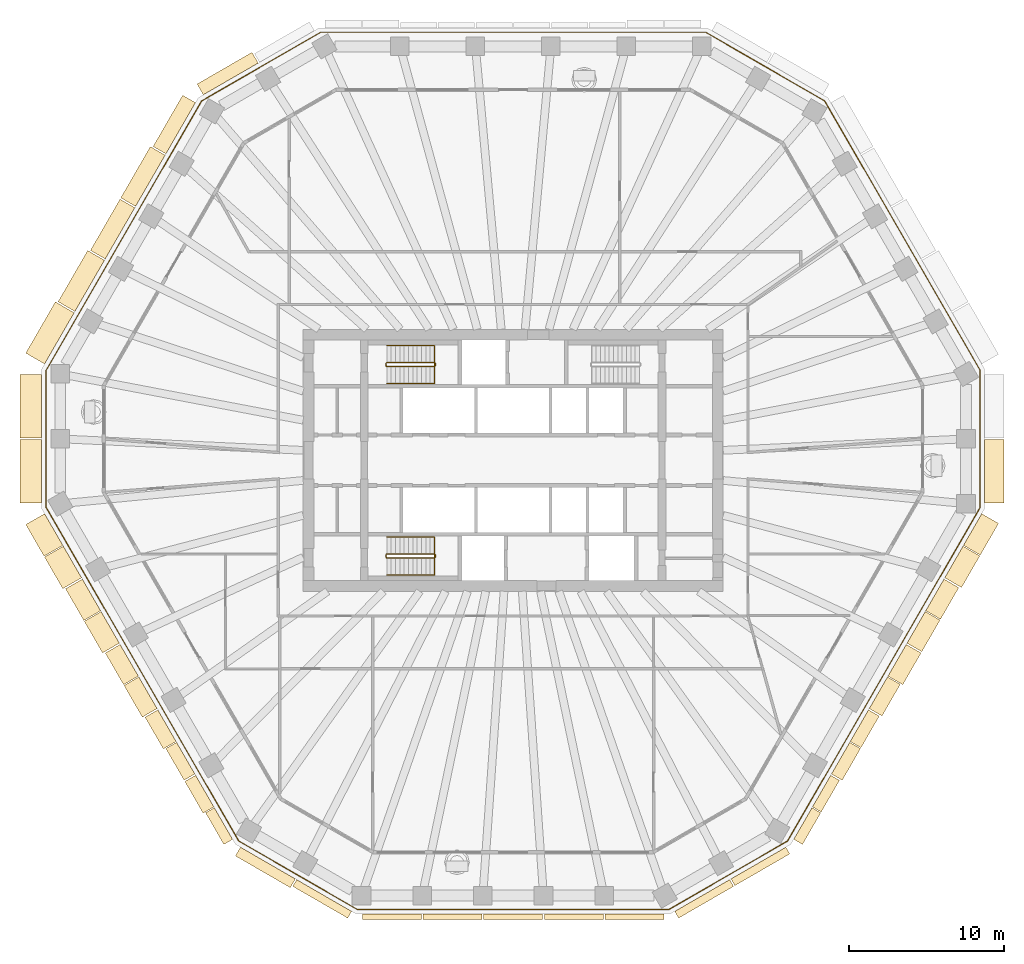
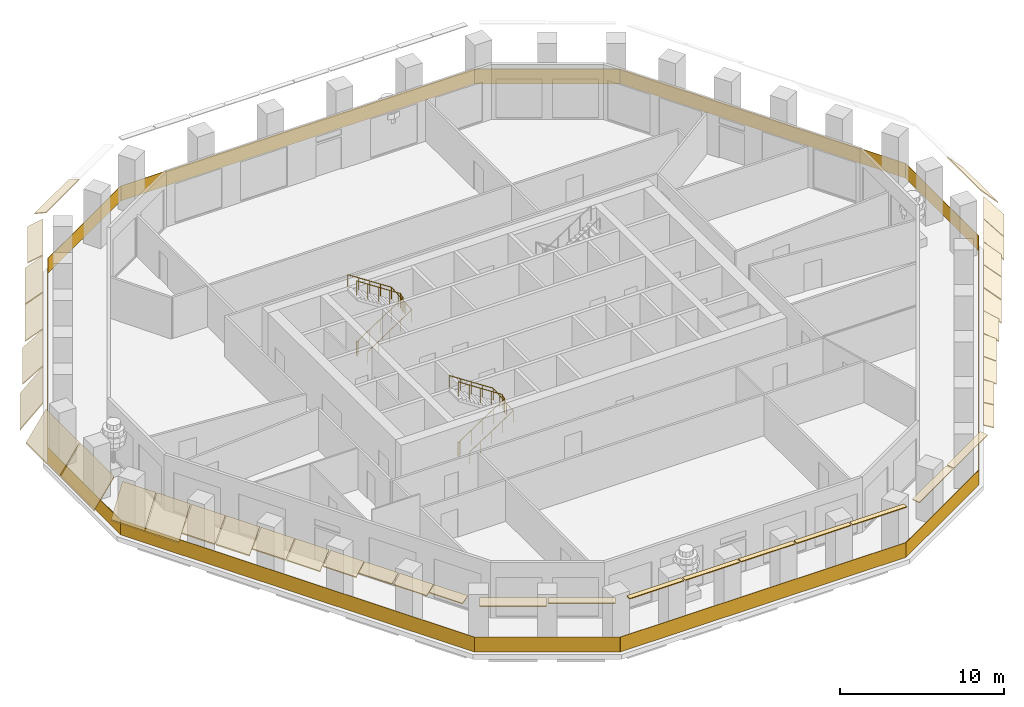
# One storey, part 9 of 12: 38 coverings, 5 railings.
"""IFC4 building model written with IfcOpenShell, lengths in metres."""

from ifc_helpers import new_model, si_unit, direction, frame, origin, origin_2d, place, context, subcontext, project, spatial, polyline, rectangle, circle, outline, extrude, material, layer, layer_set, type_object, element, save


model = new_model("IFC4")

# Units and contexts
model_context = context("Model", 3, precision=1e-05, world=origin(), true_north=direction((0.0, 1.0)))
body_context = subcontext(model_context, "Body", "Model", "MODEL_VIEW")
ifc_project = project(units=[si_unit("LENGTHUNIT", "METRE"), si_unit("AREAUNIT", "SQUARE_METRE"), si_unit("VOLUMEUNIT", "CUBIC_METRE"), si_unit("PLANEANGLEUNIT", "RADIAN"), si_unit("MASSUNIT", "GRAM", prefix="KILO")], contexts=[model_context])

# Site, building, storey
site_placement = place(None, origin())
site = spatial("IfcSite", under=ifc_project, at=site_placement, CompositionType="ELEMENT")
building_placement = place(site_placement, origin())
building = spatial("IfcBuilding", under=site, at=building_placement, Name="Frailejon Research Tower", CompositionType="ELEMENT")
storey_placement = place(building_placement, frame((0.0, 0.0, 193.60009765625)))
storey = spatial("IfcBuildingStorey", under=building, at=storey_placement, Name="L42", CompositionType="ELEMENT", Elevation=193.60009765625)

# Coverings
ifc_material_1 = material(Name="Precast concrete C50/60", Category="concrete")
ifc_layer_1 = layer(ifc_material_1, 0.06005859375)
ifc_layer_set_1 = layer_set([ifc_layer_1], Name="Brim blade depth 1100")
covering_type_1 = type_object("IfcCoveringType", Name="Brim blade depth 1100", PredefinedType="CLADDING", material=ifc_layer_set_1)
for number, where, z_axis, x_axis, name in (
    (1, (-24.3564453125, 16.37890625, 4.25), (0.500001217064, 0.866024701111, 0.0), (-0.866024701111, 0.500001217064, 0.0), "Brim blade L42"),
    (2, (-26.312744140625, 12.990478515625, 4.25), (0.500001217064, 0.866024701111, 0.0), (-0.866024701111, 0.500001217064, 0.0), "Brim blade L42"),
):
    element("IfcCovering", number, at=place(storey_placement, frame(where, z_axis=z_axis, x_axis=x_axis)), inside=storey, type_object=covering_type_1, Name=name, PredefinedType="CLADDING", context=body_context, shape_type="SweptSolid", body=[
        extrude(outline(polyline([(0.0, -0.078369140625), (1.10009765625, -1.001220703125), (1.10009765625, -0.923095703125), (0.0, 0.0), (0.0, -0.078369140625)])), origin(), (0.0, 0.0, 1.0), 3.8125),
    ])
for number, where, z_axis, x_axis, name in (
    (3, (-24.177001953125, -13.924072265625, 4.25), (-0.50000563012, 0.866022153209, 0.0), (-0.866022153209, -0.50000563012, 0.0), "Brim blade L42"),
    (4, (-22.969482421875, -16.015625, 4.25), (-0.50000563012, 0.866022153209, 0.0), (-0.866022153209, -0.50000563012, 0.0), "Brim blade L42"),
    (5, (25.354736328125, -11.88427734375, 4.25), (-0.50000563012, -0.866022153209, 0.0), (0.866022153209, -0.50000563012, 0.0), "Brim blade L42"),
    (6, (26.58251953125, -9.7578125, 4.25), (-0.499996739973, -0.866027285954, 0.0), (0.866027285954, -0.499996739973, 0.0), "Brim blade L42"),
    (7, (27.7900390625, -7.666259765625, 4.25), (-0.499996739973, -0.866027285954, 0.0), (0.866027285954, -0.499996739973, 0.0), "Brim blade L42"),
):
    element("IfcCovering", number, at=place(storey_placement, frame(where, z_axis=z_axis, x_axis=x_axis)), inside=storey, type_object=covering_type_1, Name=name, PredefinedType="CLADDING", context=body_context, shape_type="SweptSolid", body=[
        extrude(outline(polyline([(0.0, -0.078369140625), (1.10009765625, -1.001220703125), (1.10009765625, -0.923095703125), (0.0, 0.0), (0.0, -0.078369140625)])), origin(), (0.0, 0.0, 1.0), 2.355224609375),
    ])
ifc_material_2 = material(Name="Precast concrete C50/60", Category="concrete")
ifc_layer_2 = layer(ifc_material_2, 0.06005859375)
ifc_layer_set_2 = layer_set([ifc_layer_2], Name="Brim blade depth 1250")
covering_type_2 = type_object("IfcCoveringType", Name="Brim blade depth 1250", PredefinedType="CLADDING", material=ifc_layer_set_2)
covering_1_placement = place(storey_placement, frame((30.4111328125, 1.332763671875, 4.25), z_axis=(0.0, -1.0, 0.0), x_axis=(1.0, 0.0, 0.0)))
element("IfcCovering", 8, at=covering_1_placement, inside=storey, type_object=covering_type_2, Name="Brim blade L42", PredefinedType="CLADDING", context=body_context, shape_type="SweptSolid", body=[
    extrude(outline(polyline([(0.0, -0.0888671875), (1.25, -1.452880859375), (1.25, -1.364013671875), (0.0, 0.0), (0.0, -0.0888671875)])), origin(), (0.0, 0.0, 1.0), 4.087646484375),
])
covering_2_placement = place(storey_placement, frame((-28.26904296875, 9.60205078125, 4.25), z_axis=(0.499990149831, 0.866031090707, 0.0), x_axis=(-0.866031090707, 0.499990149831, 0.0)))
element("IfcCovering", 9, at=covering_2_placement, inside=storey, type_object=covering_type_2, Name="Brim blade L42", PredefinedType="CLADDING", context=body_context, shape_type="SweptSolid", body=[
    extrude(outline(polyline([(0.0, -0.0888671875), (1.25, -1.452880859375), (1.25, -1.364013671875), (0.0, 0.0), (0.0, -0.0888671875)])), origin(), (0.0, 0.0, 1.0), 3.812744140625),
])
for number, where, z_axis, x_axis, name in (
    (10, (-26.6123046875, -9.7060546875, 4.25), (-0.499996739973, 0.866027285954, 0.0), (-0.866027285954, -0.499996739973, 0.0), "Brim blade L42"),
    (11, (-25.40478515625, -11.797607421875, 4.25), (-0.499996739973, 0.866027285954, 0.0), (-0.866027285954, -0.499996739973, 0.0), "Brim blade L42"),
    (12, (29.017578125, -5.539794921875, 4.25), (-0.499996739973, -0.866027285954, 0.0), (0.866027285954, -0.499996739973, 0.0), "Brim blade L42"),
    (13, (30.225341796875, -3.447998046875, 4.25), (-0.499996739973, -0.866027285954, 0.0), (0.866027285954, -0.499996739973, 0.0), "Brim blade L42"),
):
    element("IfcCovering", number, at=place(storey_placement, frame(where, z_axis=z_axis, x_axis=x_axis)), inside=storey, type_object=covering_type_2, Name=name, PredefinedType="CLADDING", context=body_context, shape_type="SweptSolid", body=[
        extrude(outline(polyline([(0.0, -0.0888671875), (1.25, -1.452880859375), (1.25, -1.364013671875), (0.0, 0.0), (0.0, -0.0888671875)])), origin(), (0.0, 0.0, 1.0), 2.355224609375),
    ])
ifc_material_3 = material(Name="Precast concrete C50/60", Category="concrete")
ifc_layer_3 = layer(ifc_material_3, 0.06005859375)
ifc_layer_set_3 = layer_set([ifc_layer_3], Name="Brim blade depth 1400")
covering_type_3 = type_object("IfcCoveringType", Name="Brim blade depth 1400", PredefinedType="CLADDING", material=ifc_layer_set_3)
covering_3_placement = place(storey_placement, frame((-30.225341796875, 6.213623046875, 4.25), z_axis=(0.500001217064, 0.866024701111, 0.0), x_axis=(-0.866024701111, 0.500001217064, 0.0)))
element("IfcCovering", 14, at=covering_3_placement, inside=storey, type_object=covering_type_3, Name="Brim blade L42", PredefinedType="CLADDING", context=body_context, shape_type="SweptSolid", body=[
    extrude(outline(polyline([(0.0, -0.1044921875), (1.39990234375, -2.10400390625), (1.39990234375, -1.99951171875), (0.0, 0.0), (0.0, -0.1044921875)])), origin(), (0.0, 0.0, 1.0), 3.8125),
])
covering_4_placement = place(storey_placement, frame((-30.4111328125, 1.432861328125, 4.25), z_axis=(0.0, 1.0, 0.0), x_axis=(-1.0, 0.0, 0.0)))
element("IfcCovering", 15, at=covering_4_placement, inside=storey, type_object=covering_type_3, Name="Brim blade L42", PredefinedType="CLADDING", context=body_context, shape_type="SweptSolid", body=[
    extrude(outline(polyline([(0.0, -0.1044921875), (1.39990234375, -2.10400390625), (1.39990234375, -1.99951171875), (0.0, 0.0), (0.0, -0.1044921875)])), origin(), (0.0, 0.0, 1.0), 4.08740234375),
])
covering_5_placement = place(storey_placement, frame((-30.4111328125, -2.7548828125, 4.25), z_axis=(0.0, 1.0, 0.0), x_axis=(-1.0, 0.0, 0.0)))
element("IfcCovering", 16, at=covering_5_placement, inside=storey, type_object=covering_type_3, Name="Brim blade L42", PredefinedType="CLADDING", context=body_context, shape_type="SweptSolid", body=[
    extrude(outline(polyline([(0.0, -0.1044921875), (1.39990234375, -2.10400390625), (1.39990234375, -1.99951171875), (0.0, 0.0), (0.0, -0.1044921875)])), origin(), (0.0, 0.0, 1.0), 4.087646484375),
])
for number, where, z_axis, x_axis, name in (
    (17, (-29.047607421875, -5.48779296875, 4.25), (-0.499996739973, 0.866027285954, 0.0), (-0.866027285954, -0.499996739973, 0.0), "Brim blade L42"),
    (18, (-27.840087890625, -7.57958984375, 4.25), (-0.499996739973, 0.866027285954, 0.0), (-0.866027285954, -0.499996739973, 0.0), "Brim blade L42"),
):
    element("IfcCovering", number, at=place(storey_placement, frame(where, z_axis=z_axis, x_axis=x_axis)), inside=storey, type_object=covering_type_3, Name=name, PredefinedType="CLADDING", context=body_context, shape_type="SweptSolid", body=[
        extrude(outline(polyline([(0.0, -0.1044921875), (1.39990234375, -2.10400390625), (1.39990234375, -1.99951171875), (0.0, 0.0), (0.0, -0.1044921875)])), origin(), (0.0, 0.0, 1.0), 2.355224609375),
    ])
ifc_material_4 = material(Name="Precast concrete C50/60", Category="concrete")
ifc_layer_4 = layer(ifc_material_4, 0.06005859375)
ifc_layer_set_4 = layer_set([ifc_layer_4], Name="Brim blade depth 350")
covering_type_4 = type_object("IfcCoveringType", Name="Brim blade depth 350", PredefinedType="CLADDING", material=ifc_layer_set_4)
for number, where, z_axis, x_axis, name in (
    (19, (-5.9189453125, -29.28271484375, 4.25), (-1.0, 0.0, 0.0), (0.0, -1.0, 0.0), "Brim blade L42"),
    (20, (-2.00634765625, -29.28271484375, 4.25), (-1.0, 0.0, 0.0), (0.0, -1.0, 0.0), "Brim blade L42"),
    (21, (1.90625, -29.28271484375, 4.25), (-1.0, 0.0, 0.0), (0.0, -1.0, 0.0), "Brim blade L42"),
    (22, (5.81884765625, -29.28271484375, 4.25), (-1.0, 0.0, 0.0), (0.0, -1.0, 0.0), "Brim blade L42"),
    (23, (9.7314453125, -29.28271484375, 4.25), (-1.0, 0.0, 0.0), (0.0, -1.0, 0.0), "Brim blade L42"),
):
    element("IfcCovering", number, at=place(storey_placement, frame(where, z_axis=z_axis, x_axis=x_axis)), inside=storey, type_object=covering_type_4, Name=name, PredefinedType="CLADDING", context=body_context, shape_type="SweptSolid", body=[
        extrude(outline(polyline([(0.0, -0.06005859375), (0.35009765625, -0.06005859375), (0.35009765625, 0.0), (0.0, 0.0), (0.0, -0.06005859375)])), origin(), (0.0, 0.0, 1.0), 3.8125),
    ])
ifc_material_5 = material(Name="Precast concrete C50/60", Category="concrete")
ifc_layer_5 = layer(ifc_material_5, 0.06005859375)
ifc_layer_set_5 = layer_set([ifc_layer_5], Name="Brim blade depth 500")
covering_type_5 = type_object("IfcCoveringType", Name="Brim blade depth 500", PredefinedType="CLADDING", material=ifc_layer_set_5)
for number, where, z_axis, x_axis, name in (
    (24, (-10.4248046875, -29.096923828125, 4.25), (-0.866027315287, 0.499996689166, 0.0), (-0.499996689166, -0.866027315287, 0.0), "Brim blade L42"),
    (25, (13.96484375, -27.05322265625, 4.25), (-0.866027315287, -0.499996689166, 0.0), (0.499996689166, -0.866027315287, 0.0), "Brim blade L42"),
):
    element("IfcCovering", number, at=place(storey_placement, frame(where, z_axis=z_axis, x_axis=x_axis)), inside=storey, type_object=covering_type_5, Name=name, PredefinedType="CLADDING", context=body_context, shape_type="SweptSolid", body=[
        extrude(outline(polyline([(0.0, -0.060546875), (0.5, -0.130859375), (0.5, -0.0703125), (0.0, 0.0), (0.0, -0.060546875)])), origin(), (0.0, 0.0, 1.0), 4.087646484375),
    ])
covering_6_placement = place(storey_placement, frame((17.59130859375, -24.95947265625, 4.25), z_axis=(-0.866021344981, -0.500007029989, 0.0), x_axis=(0.500007029989, -0.866021344981, 0.0)))
element("IfcCovering", 26, at=covering_6_placement, inside=storey, type_object=covering_type_5, Name="Brim blade L42", PredefinedType="CLADDING", context=body_context, shape_type="SweptSolid", body=[
    extrude(outline(polyline([(0.0, -0.060546875), (0.5, -0.130859375), (0.5, -0.0703125), (0.0, 0.0), (0.0, -0.060546875)])), origin(), (0.0, 0.0, 1.0), 4.08740234375),
])
ifc_material_6 = material(Name="Precast concrete C50/60", Category="concrete")
ifc_layer_6 = layer(ifc_material_6, 0.06005859375)
ifc_layer_set_6 = layer_set([ifc_layer_6], Name="Brim blade depth 650")
covering_type_6 = type_object("IfcCoveringType", Name="Brim blade depth 650", PredefinedType="CLADDING", material=ifc_layer_set_6)
covering_7_placement = place(storey_placement, frame((-18.098876953125, -24.451904296875, 4.25), z_axis=(-0.499996739973, 0.866027285954, 0.0), x_axis=(-0.866027285954, -0.499996739973, 0.0)))
element("IfcCovering", 27, at=covering_7_placement, inside=storey, type_object=covering_type_6, Name="Brim blade L42", PredefinedType="CLADDING", context=body_context, shape_type="SweptSolid", body=[
    extrude(outline(polyline([(0.0, -0.0625), (0.64990234375, -0.248779296875), (0.64990234375, -0.186279296875), (0.0, 0.0), (0.0, -0.0625)])), origin(), (0.0, 0.0, 1.0), 2.355224609375),
])
covering_8_placement = place(storey_placement, frame((-14.051513671875, -27.003173828125, 4.25), z_axis=(-0.866021344981, 0.500007029989, 0.0), x_axis=(-0.500007029989, -0.866021344981, 0.0)))
element("IfcCovering", 28, at=covering_8_placement, inside=storey, type_object=covering_type_6, Name="Brim blade L42", PredefinedType="CLADDING", context=body_context, shape_type="SweptSolid", body=[
    extrude(outline(polyline([(0.0, -0.0625), (0.64990234375, -0.248779296875), (0.64990234375, -0.186279296875), (0.0, 0.0), (0.0, -0.0625)])), origin(), (0.0, 0.0, 1.0), 4.08740234375),
])
for number, where, z_axis, x_axis, name in (
    (29, (19.276611328125, -22.412109375, 4.25), (-0.499996739973, -0.866027285954, 0.0), (0.866027285954, -0.499996739973, 0.0), "Brim blade L42"),
    (30, (20.484130859375, -20.3203125, 4.25), (-0.499996739973, -0.866027285954, 0.0), (0.866027285954, -0.499996739973, 0.0), "Brim blade L42"),
):
    element("IfcCovering", number, at=place(storey_placement, frame(where, z_axis=z_axis, x_axis=x_axis)), inside=storey, type_object=covering_type_6, Name=name, PredefinedType="CLADDING", context=body_context, shape_type="SweptSolid", body=[
        extrude(outline(polyline([(0.0, -0.0625), (0.64990234375, -0.248779296875), (0.64990234375, -0.186279296875), (0.0, 0.0), (0.0, -0.0625)])), origin(), (0.0, 0.0, 1.0), 2.355224609375),
    ])
ifc_material_7 = material(Name="Precast concrete C50/60", Category="concrete")
ifc_layer_7 = layer(ifc_material_7, 0.06005859375)
ifc_layer_set_7 = layer_set([ifc_layer_7], Name="Brim blade depth 800")
covering_type_7 = type_object("IfcCoveringType", Name="Brim blade depth 800", PredefinedType="CLADDING", material=ifc_layer_set_7)
covering_9_placement = place(storey_placement, frame((-19.986328125, 23.57666015625, 4.25), z_axis=(0.866021344981, 0.500007029989, 0.0), x_axis=(-0.500007029989, 0.866021344981, 0.0)))
element("IfcCovering", 31, at=covering_9_placement, inside=storey, type_object=covering_type_7, Name="Brim blade L42", PredefinedType="CLADDING", context=body_context, shape_type="SweptSolid", body=[
    extrude(outline(polyline([(0.0, -0.065673828125), (0.800048828125, -0.421875), (0.800048828125, -0.356201171875), (0.0, 0.0), (0.0, -0.065673828125)])), origin(), (0.0, 0.0, 1.0), 4.08740234375),
])
for number, where, z_axis, x_axis, name in (
    (32, (-20.5341796875, -20.23388671875, 4.25), (-0.499996739973, 0.866027285954, 0.0), (-0.866027285954, -0.499996739973, 0.0), "Brim blade L42"),
    (33, (-19.306396484375, -22.360107421875, 4.25), (-0.499996739973, 0.866027285954, 0.0), (-0.866027285954, -0.499996739973, 0.0), "Brim blade L42"),
    (34, (21.7119140625, -18.194091796875, 4.25), (-0.499996739973, -0.866027285954, 0.0), (0.866027285954, -0.499996739973, 0.0), "Brim blade L42"),
    (35, (22.91943359375, -16.102294921875, 4.25), (-0.499996739973, -0.866027285954, 0.0), (0.866027285954, -0.499996739973, 0.0), "Brim blade L42"),
):
    element("IfcCovering", number, at=place(storey_placement, frame(where, z_axis=z_axis, x_axis=x_axis)), inside=storey, type_object=covering_type_7, Name=name, PredefinedType="CLADDING", context=body_context, shape_type="SweptSolid", body=[
        extrude(outline(polyline([(0.0, -0.065673828125), (0.800048828125, -0.421875), (0.800048828125, -0.356201171875), (0.0, 0.0), (0.0, -0.065673828125)])), origin(), (0.0, 0.0, 1.0), 2.355224609375),
    ])
ifc_material_8 = material(Name="Precast concrete C50/60", Category="concrete")
ifc_layer_8 = layer(ifc_material_8, 0.06005859375)
ifc_layer_set_8 = layer_set([ifc_layer_8], Name="Brim blade depth 950")
covering_type_8 = type_object("IfcCoveringType", Name="Brim blade depth 950", PredefinedType="CLADDING", material=ifc_layer_set_8)
covering_10_placement = place(storey_placement, frame((-22.400146484375, 19.767333984375, 4.25), z_axis=(0.500001217064, 0.866024701111, 0.0), x_axis=(-0.866024701111, 0.500001217064, 0.0)))
element("IfcCovering", 36, at=covering_10_placement, inside=storey, type_object=covering_type_8, Name="Brim blade L42", PredefinedType="CLADDING", context=body_context, shape_type="SweptSolid", body=[
    extrude(outline(polyline([(0.0, -0.07080078125), (0.949951171875, -0.664306640625), (0.949951171875, -0.593505859375), (0.0, 0.0), (0.0, -0.07080078125)])), origin(), (0.0, 0.0, 1.0), 3.8125),
])
for number, where, z_axis, x_axis, name in (
    (37, (-21.74169921875, -18.14208984375, 4.25), (-0.499996739973, 0.866027285954, 0.0), (-0.866027285954, -0.499996739973, 0.0), "Brim blade L42"),
    (38, (24.147216796875, -13.97607421875, 4.25), (-0.50000563012, -0.866022153209, 0.0), (0.866022153209, -0.50000563012, 0.0), "Brim blade L42"),
):
    element("IfcCovering", number, at=place(storey_placement, frame(where, z_axis=z_axis, x_axis=x_axis)), inside=storey, type_object=covering_type_8, Name=name, PredefinedType="CLADDING", context=body_context, shape_type="SweptSolid", body=[
        extrude(outline(polyline([(0.0, -0.07080078125), (0.949951171875, -0.664306640625), (0.949951171875, -0.593505859375), (0.0, 0.0), (0.0, -0.07080078125)])), origin(), (0.0, 0.0, 1.0), 2.355224609375),
    ])

# Railings
ifc_material_9 = material(Name="Laminated glass balustrade", Category="glass")
railing_type_1 = type_object("IfcRailingType", Name="Glass guard 1100", PredefinedType="GUARDRAIL", material=ifc_material_9)
railing_1_placement = place(storey_placement, frame((30.119873046875, -3.04833984375, 0.0)))
element("IfcRailing", 39, at=railing_1_placement, inside=storey, type_object=railing_type_1, Name="Loggia guard L42", PredefinedType="GUARDRAIL", context=body_context, shape_type="SweptSolid", body=[
    extrude(rectangle(XDim=8.862060546875, YDim=0.030029296875, at=origin_2d()), frame((0.0, 4.43115234375, 0.0), z_axis=(0.0, 0.0, 1.0), x_axis=(0.0, 1.0, 0.0)), (0.0, 0.0, 1.0), 1.10009765625),
    extrude(rectangle(XDim=20.050048828125, YDim=0.030029296875, at=origin_2d()), frame((-5.0126953125, 17.5439453125, 0.0), z_axis=(0.0, 0.0, 1.0), x_axis=(-0.500006339302, 0.866021743756, 0.0)), (0.0, 0.0, 1.0), 1.10009765625),
    extrude(rectangle(XDim=8.862060546875, YDim=0.030029296875, at=origin_2d()), frame((-13.862548828125, 28.44140625, 0.0), z_axis=(0.0, 0.0, 1.0), x_axis=(-0.86602043012, 0.50000861454, 0.0)), (0.0, 0.0, 1.0), 1.10009765625),
    extrude(rectangle(XDim=24.83984375, YDim=0.030029296875, at=origin_2d()), frame((-30.119873046875, 30.656982421875, 0.0), z_axis=(0.0, 0.0, 1.0), x_axis=(-1.0, 0.0, 0.0)), (0.0, 0.0, 1.0), 1.10009765625),
    extrude(rectangle(XDim=8.862060546875, YDim=0.030029296875, at=origin_2d()), frame((-46.377197265625, 28.44140625, 0.0), z_axis=(0.0, 0.0, 1.0), x_axis=(-0.86602043012, -0.50000861454, 0.0)), (0.0, 0.0, 1.0), 1.10009765625),
    extrude(rectangle(XDim=20.050048828125, YDim=0.030029296875, at=origin_2d()), frame((-55.22705078125, 17.5439453125, 0.0), z_axis=(0.0, 0.0, 1.0), x_axis=(-0.500006339302, -0.866021743756, 0.0)), (0.0, 0.0, 1.0), 1.10009765625),
    extrude(rectangle(XDim=8.862060546875, YDim=0.030029296875, at=origin_2d()), frame((-60.23974609375, 4.43115234375, 0.0), z_axis=(0.0, 0.0, 1.0), x_axis=(0.0, -1.0, 0.0)), (0.0, 0.0, 1.0), 1.10009765625),
    extrude(rectangle(XDim=24.840087890625, YDim=0.030029296875, at=origin_2d()), frame((-54.02978515625, -10.755859375, 0.0), z_axis=(0.0, 0.0, 1.0), x_axis=(0.50000689763, -0.866021421399, 0.0)), (0.0, 0.0, 1.0), 1.10009765625),
    extrude(rectangle(XDim=8.862060546875, YDim=0.030029296875, at=origin_2d()), frame((-43.982177734375, -23.7275390625, 0.0), z_axis=(0.0, 0.0, 1.0), x_axis=(0.86602043012, -0.50000861454, 0.0)), (0.0, 0.0, 1.0), 1.10009765625),
    extrude(rectangle(XDim=20.0498046875, YDim=0.030029296875, at=origin_2d()), frame((-30.119873046875, -25.943115234375, 0.0), z_axis=(0.0, 0.0, 1.0), x_axis=(1.0, 0.0, 0.0)), (0.0, 0.0, 1.0), 1.10009765625),
    extrude(rectangle(XDim=8.862060546875, YDim=0.030029296875, at=origin_2d()), frame((-16.257568359375, -23.7275390625, 0.0), z_axis=(0.0, 0.0, 1.0), x_axis=(0.86602043012, 0.50000861454, 0.0)), (0.0, 0.0, 1.0), 1.10009765625),
    extrude(rectangle(XDim=24.77001953125, YDim=0.030029296875, at=origin_2d()), frame((-6.2275390625, -10.7861328125, 0.0), z_axis=(0.0, 0.0, 1.0), x_axis=(0.500000876701, 0.86602489762, 0.0)), (0.0, 0.0, 1.0), 1.10009765625),
])
ifc_material_10 = material(Name="Stainless steel", Category="steel")
railing_type_2 = type_object("IfcRailingType", Name="Stair guard 1100", PredefinedType="GUARDRAIL", material=ifc_material_10)
railing_2_placement = place(storey_placement, frame((-8.199951171875, 6.25, 0.0)))
element("IfcRailing", 40, at=railing_2_placement, inside=storey, type_object=railing_type_2, Name="L42 ST1 stair guard 1", PredefinedType="GUARDRAIL", context=body_context, shape_type="SweptSolid", body=[
    extrude(circle(Radius=0.02392578125, at=origin_2d()), frame((0.0, 0.0, 1.076171875), z_axis=(0.0, -1.0, 0.0), x_axis=(1.0, 0.0, 0.0)), (0.0, 0.0, 1.0), 0.14990234375),
    extrude(circle(Radius=0.02392578125, at=origin_2d()), frame((0.0, -0.14990234375, 1.076171875), z_axis=(0.254653276557, -0.254653276557, 0.932900539971), x_axis=(0.707106781187, 0.707106781187, 0.0)), (0.0, 0.0, 1.0), 0.196533203125),
    extrude(circle(Radius=0.02392578125, at=origin_2d()), frame((0.050048828125, -0.199951171875, 1.25927734375), z_axis=(0.836613101238, 0.0, 0.547794230379), x_axis=(0.0, 1.0, 0.0)), (0.0, 0.0, 1.0), 3.681396484375),
    extrude(circle(Radius=0.02392578125, at=origin_2d()), frame((3.1298828125, -0.199951171875, 3.27587890625), z_axis=(0.707106781187, 0.707106781187, 0.0), x_axis=(-0.707106781187, 0.707106781187, 0.0)), (0.0, 0.0, 1.0), 0.07080078125),
    extrude(circle(Radius=0.02392578125, at=origin_2d()), frame((3.179931640625, -0.14990234375, 3.27587890625), z_axis=(0.0, 1.0, 0.0), x_axis=(-1.0, 0.0, 0.0)), (0.0, 0.0, 1.0), 0.14990234375),
    extrude(circle(Radius=0.02392578125, at=origin_2d()), frame((3.179931640625, 0.0, 3.27587890625), z_axis=(-0.254653276557, 0.254653276557, 0.932900539971), x_axis=(-0.707106781187, -0.707106781187, 0.0)), (0.0, 0.0, 1.0), 0.196533203125),
    extrude(circle(Radius=0.02392578125, at=origin_2d()), frame((3.1298828125, 0.050048828125, 3.45947265625), z_axis=(-0.836613101238, 0.0, 0.547794230379), x_axis=(0.0, -1.0, 0.0)), (0.0, 0.0, 1.0), 3.681396484375),
    extrude(circle(Radius=0.02099609375, at=origin_2d()), origin(), (0.0, 0.0, 1.0), 1.052001953125),
    extrude(circle(Radius=0.02099609375, at=origin_2d()), frame((0.0, -0.14990234375, 0.0)), (0.0, 0.0, 1.0), 1.052001953125),
    extrude(circle(Radius=0.02099609375, at=origin_2d()), frame((0.050048828125, -0.199951171875, 0.183349609375)), (0.0, 0.0, 1.0), 1.052001953125),
    extrude(circle(Radius=0.02099609375, at=origin_2d()), frame((0.820068359375, -0.199951171875, 0.6875)), (0.0, 0.0, 1.0), 1.052001953125),
    extrude(circle(Radius=0.02099609375, at=origin_2d()), frame((1.58984375, -0.199951171875, 1.191650390625)), (0.0, 0.0, 1.0), 1.052001953125),
    extrude(circle(Radius=0.02099609375, at=origin_2d()), frame((2.35986328125, -0.199951171875, 1.69580078125)), (0.0, 0.0, 1.0), 1.052001953125),
    extrude(circle(Radius=0.02099609375, at=origin_2d()), frame((3.1298828125, -0.199951171875, 2.199951171875)), (0.0, 0.0, 1.0), 1.052001953125),
    extrude(circle(Radius=0.02099609375, at=origin_2d()), frame((3.179931640625, -0.14990234375, 2.199951171875)), (0.0, 0.0, 1.0), 1.052001953125),
    extrude(circle(Radius=0.02099609375, at=origin_2d()), frame((3.179931640625, 0.0, 2.199951171875)), (0.0, 0.0, 1.0), 1.052001953125),
    extrude(circle(Radius=0.02099609375, at=origin_2d()), frame((3.1298828125, 0.050048828125, 2.38330078125)), (0.0, 0.0, 1.0), 1.052001953125),
    extrude(circle(Radius=0.02099609375, at=origin_2d()), frame((2.35986328125, 0.050048828125, 2.887451171875)), (0.0, 0.0, 1.0), 1.052001953125),
    extrude(circle(Radius=0.02099609375, at=origin_2d()), frame((1.58984375, 0.050048828125, 3.3916015625)), (0.0, 0.0, 1.0), 1.052001953125),
    extrude(circle(Radius=0.02099609375, at=origin_2d()), frame((0.820068359375, 0.050048828125, 3.895751953125)), (0.0, 0.0, 1.0), 1.052001953125),
    extrude(circle(Radius=0.02099609375, at=origin_2d()), frame((0.050048828125, 0.050048828125, 4.39990234375)), (0.0, 0.0, 1.0), 1.052001953125),
])
railing_3_placement = place(storey_placement, frame((-8.199951171875, -6.10009765625, 0.0)))
element("IfcRailing", 41, at=railing_3_placement, inside=storey, type_object=railing_type_2, Name="L42 ST2 stair guard 1", PredefinedType="GUARDRAIL", context=body_context, shape_type="SweptSolid", body=[
    extrude(circle(Radius=0.02392578125, at=origin_2d()), frame((0.0, 0.0, 1.076171875), z_axis=(0.0, -1.0, 0.0), x_axis=(1.0, 0.0, 0.0)), (0.0, 0.0, 1.0), 0.14990234375),
    extrude(circle(Radius=0.02392578125, at=origin_2d()), frame((0.0, -0.14990234375, 1.076171875), z_axis=(0.254653276557, -0.254653276557, 0.932900539971), x_axis=(0.707106781187, 0.707106781187, 0.0)), (0.0, 0.0, 1.0), 0.196533203125),
    extrude(circle(Radius=0.02392578125, at=origin_2d()), frame((0.050048828125, -0.199951171875, 1.25927734375), z_axis=(0.836613101238, 0.0, 0.547794230379), x_axis=(0.0, 1.0, 0.0)), (0.0, 0.0, 1.0), 3.681396484375),
    extrude(circle(Radius=0.02392578125, at=origin_2d()), frame((3.1298828125, -0.199951171875, 3.27587890625), z_axis=(0.707106781187, 0.707106781187, 0.0), x_axis=(-0.707106781187, 0.707106781187, 0.0)), (0.0, 0.0, 1.0), 0.07080078125),
    extrude(circle(Radius=0.02392578125, at=origin_2d()), frame((3.179931640625, -0.14990234375, 3.27587890625), z_axis=(0.0, 1.0, 0.0), x_axis=(-1.0, 0.0, 0.0)), (0.0, 0.0, 1.0), 0.14990234375),
    extrude(circle(Radius=0.02392578125, at=origin_2d()), frame((3.179931640625, 0.0, 3.27587890625), z_axis=(-0.254653276557, 0.254653276557, 0.932900539971), x_axis=(-0.707106781187, -0.707106781187, 0.0)), (0.0, 0.0, 1.0), 0.196533203125),
    extrude(circle(Radius=0.02392578125, at=origin_2d()), frame((3.1298828125, 0.050048828125, 3.45947265625), z_axis=(-0.836613101238, 0.0, 0.547794230379), x_axis=(0.0, -1.0, 0.0)), (0.0, 0.0, 1.0), 3.681396484375),
    extrude(circle(Radius=0.02099609375, at=origin_2d()), origin(), (0.0, 0.0, 1.0), 1.052001953125),
    extrude(circle(Radius=0.02099609375, at=origin_2d()), frame((0.0, -0.14990234375, 0.0)), (0.0, 0.0, 1.0), 1.052001953125),
    extrude(circle(Radius=0.02099609375, at=origin_2d()), frame((0.050048828125, -0.199951171875, 0.183349609375)), (0.0, 0.0, 1.0), 1.052001953125),
    extrude(circle(Radius=0.02099609375, at=origin_2d()), frame((0.820068359375, -0.199951171875, 0.6875)), (0.0, 0.0, 1.0), 1.052001953125),
    extrude(circle(Radius=0.02099609375, at=origin_2d()), frame((1.58984375, -0.199951171875, 1.191650390625)), (0.0, 0.0, 1.0), 1.052001953125),
    extrude(circle(Radius=0.02099609375, at=origin_2d()), frame((2.35986328125, -0.199951171875, 1.69580078125)), (0.0, 0.0, 1.0), 1.052001953125),
    extrude(circle(Radius=0.02099609375, at=origin_2d()), frame((3.1298828125, -0.199951171875, 2.199951171875)), (0.0, 0.0, 1.0), 1.052001953125),
    extrude(circle(Radius=0.02099609375, at=origin_2d()), frame((3.179931640625, -0.14990234375, 2.199951171875)), (0.0, 0.0, 1.0), 1.052001953125),
    extrude(circle(Radius=0.02099609375, at=origin_2d()), frame((3.179931640625, 0.0, 2.199951171875)), (0.0, 0.0, 1.0), 1.052001953125),
    extrude(circle(Radius=0.02099609375, at=origin_2d()), frame((3.1298828125, 0.050048828125, 2.38330078125)), (0.0, 0.0, 1.0), 1.052001953125),
    extrude(circle(Radius=0.02099609375, at=origin_2d()), frame((2.35986328125, 0.050048828125, 2.887451171875)), (0.0, 0.0, 1.0), 1.052001953125),
    extrude(circle(Radius=0.02099609375, at=origin_2d()), frame((1.58984375, 0.050048828125, 3.3916015625)), (0.0, 0.0, 1.0), 1.052001953125),
    extrude(circle(Radius=0.02099609375, at=origin_2d()), frame((0.820068359375, 0.050048828125, 3.895751953125)), (0.0, 0.0, 1.0), 1.052001953125),
    extrude(circle(Radius=0.02099609375, at=origin_2d()), frame((0.050048828125, 0.050048828125, 4.39990234375)), (0.0, 0.0, 1.0), 1.052001953125),
])
ifc_material_11 = material(Name="Stainless steel", Category="steel")
railing_type_3 = type_object("IfcRailingType", Name="Stair handrail 900", PredefinedType="HANDRAIL", material=ifc_material_11)
railing_4_placement = place(storey_placement, frame((-8.14990234375, 4.949951171875, 0.183349609375)))
element("IfcRailing", 42, at=railing_4_placement, inside=storey, type_object=railing_type_3, Name="L42 ST1 stair handrail 1", PredefinedType="HANDRAIL", context=body_context, shape_type="SweptSolid", body=[
    extrude(circle(Radius=0.02392578125, at=origin_2d()), frame((0.0, 0.0, 0.8759765625), z_axis=(0.836613101238, 0.0, 0.547794230379), x_axis=(0.0, 1.0, 0.0)), (0.0, 0.0, 1.0), 3.681396484375),
    extrude(circle(Radius=0.02392578125, at=origin_2d()), frame((3.079833984375, 0.0, 2.892578125), z_axis=(0.0, 0.99721134034, 0.074629368868), x_axis=(-1.0, 0.0, 0.0)), (0.0, 0.0, 1.0), 2.456787109375),
    extrude(circle(Radius=0.02392578125, at=origin_2d()), frame((3.079833984375, 2.449951171875, 3.07568359375), z_axis=(-0.836613101238, 0.0, 0.547794230379), x_axis=(0.0, -1.0, 0.0)), (0.0, 0.0, 1.0), 3.681396484375),
    extrude(circle(Radius=0.02099609375, at=origin_2d()), origin(), (0.0, 0.0, 1.0), 0.851806640625),
    extrude(circle(Radius=0.02099609375, at=origin_2d()), frame((0.77001953125, 0.0, 0.504150390625)), (0.0, 0.0, 1.0), 0.851806640625),
    extrude(circle(Radius=0.02099609375, at=origin_2d()), frame((1.5400390625, 0.0, 1.00830078125)), (0.0, 0.0, 1.0), 0.851806640625),
    extrude(circle(Radius=0.02099609375, at=origin_2d()), frame((2.309814453125, 0.0, 1.512451171875)), (0.0, 0.0, 1.0), 0.851806640625),
    extrude(circle(Radius=0.02099609375, at=origin_2d()), frame((3.079833984375, 0.0, 2.0166015625)), (0.0, 0.0, 1.0), 0.851806640625),
    extrude(circle(Radius=0.02099609375, at=origin_2d()), frame((3.079833984375, 0.816650390625, 2.07763671875)), (0.0, 0.0, 1.0), 0.851806640625),
    extrude(circle(Radius=0.02099609375, at=origin_2d()), frame((3.079833984375, 1.63330078125, 2.138916015625)), (0.0, 0.0, 1.0), 0.851806640625),
    extrude(circle(Radius=0.02099609375, at=origin_2d()), frame((3.079833984375, 2.449951171875, 2.199951171875)), (0.0, 0.0, 1.0), 0.851806640625),
    extrude(circle(Radius=0.02099609375, at=origin_2d()), frame((2.309814453125, 2.449951171875, 2.7041015625)), (0.0, 0.0, 1.0), 0.851806640625),
    extrude(circle(Radius=0.02099609375, at=origin_2d()), frame((1.5400390625, 2.449951171875, 3.208251953125)), (0.0, 0.0, 1.0), 0.851806640625),
    extrude(circle(Radius=0.02099609375, at=origin_2d()), frame((0.77001953125, 2.449951171875, 3.71240234375)), (0.0, 0.0, 1.0), 0.851806640625),
    extrude(circle(Radius=0.02099609375, at=origin_2d()), frame((0.0, 2.449951171875, 4.216552734375)), (0.0, 0.0, 1.0), 0.851806640625),
])
railing_5_placement = place(storey_placement, frame((-8.14990234375, -7.39990234375, 0.183349609375)))
element("IfcRailing", 43, at=railing_5_placement, inside=storey, type_object=railing_type_3, Name="L42 ST2 stair handrail 1", PredefinedType="HANDRAIL", context=body_context, shape_type="SweptSolid", body=[
    extrude(circle(Radius=0.02392578125, at=origin_2d()), frame((0.0, 0.0, 0.8759765625), z_axis=(0.836613101238, 0.0, 0.547794230379), x_axis=(0.0, 1.0, 0.0)), (0.0, 0.0, 1.0), 3.681396484375),
    extrude(circle(Radius=0.02392578125, at=origin_2d()), frame((3.079833984375, 0.0, 2.892578125), z_axis=(0.0, 0.99721134034, 0.074629368868), x_axis=(-1.0, 0.0, 0.0)), (0.0, 0.0, 1.0), 2.456787109375),
    extrude(circle(Radius=0.02392578125, at=origin_2d()), frame((3.079833984375, 2.449951171875, 3.07568359375), z_axis=(-0.836613101238, 0.0, 0.547794230379), x_axis=(0.0, -1.0, 0.0)), (0.0, 0.0, 1.0), 3.681396484375),
    extrude(circle(Radius=0.02099609375, at=origin_2d()), origin(), (0.0, 0.0, 1.0), 0.851806640625),
    extrude(circle(Radius=0.02099609375, at=origin_2d()), frame((0.77001953125, 0.0, 0.504150390625)), (0.0, 0.0, 1.0), 0.851806640625),
    extrude(circle(Radius=0.02099609375, at=origin_2d()), frame((1.5400390625, 0.0, 1.00830078125)), (0.0, 0.0, 1.0), 0.851806640625),
    extrude(circle(Radius=0.02099609375, at=origin_2d()), frame((2.309814453125, 0.0, 1.512451171875)), (0.0, 0.0, 1.0), 0.851806640625),
    extrude(circle(Radius=0.02099609375, at=origin_2d()), frame((3.079833984375, 0.0, 2.0166015625)), (0.0, 0.0, 1.0), 0.851806640625),
    extrude(circle(Radius=0.02099609375, at=origin_2d()), frame((3.079833984375, 0.816650390625, 2.07763671875)), (0.0, 0.0, 1.0), 0.851806640625),
    extrude(circle(Radius=0.02099609375, at=origin_2d()), frame((3.079833984375, 1.63330078125, 2.138916015625)), (0.0, 0.0, 1.0), 0.851806640625),
    extrude(circle(Radius=0.02099609375, at=origin_2d()), frame((3.079833984375, 2.449951171875, 2.199951171875)), (0.0, 0.0, 1.0), 0.851806640625),
    extrude(circle(Radius=0.02099609375, at=origin_2d()), frame((2.309814453125, 2.449951171875, 2.7041015625)), (0.0, 0.0, 1.0), 0.851806640625),
    extrude(circle(Radius=0.02099609375, at=origin_2d()), frame((1.5400390625, 2.449951171875, 3.208251953125)), (0.0, 0.0, 1.0), 0.851806640625),
    extrude(circle(Radius=0.02099609375, at=origin_2d()), frame((0.77001953125, 2.449951171875, 3.71240234375)), (0.0, 0.0, 1.0), 0.851806640625),
    extrude(circle(Radius=0.02099609375, at=origin_2d()), frame((0.0, 2.449951171875, 4.216552734375)), (0.0, 0.0, 1.0), 0.851806640625),
])

save(model, "model.ifc")
